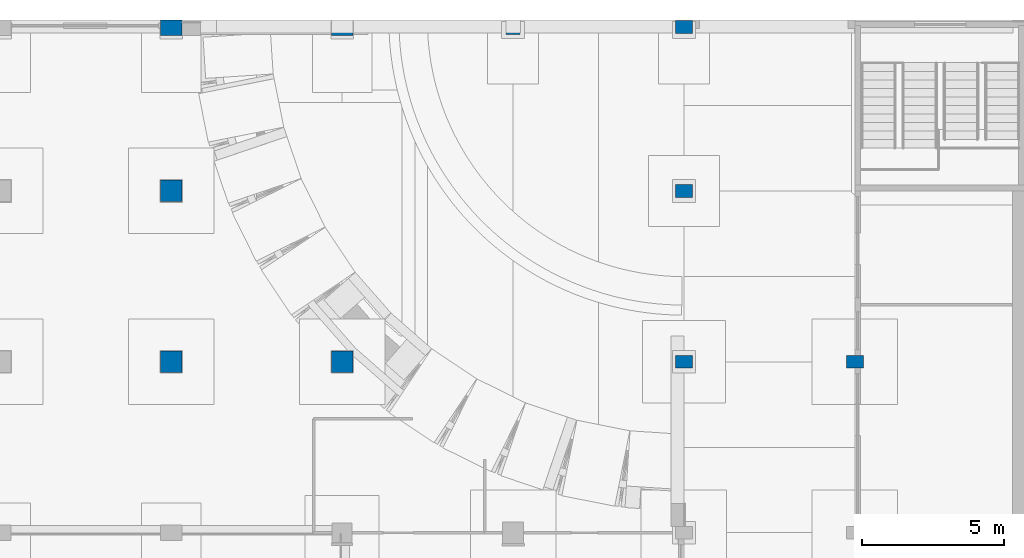
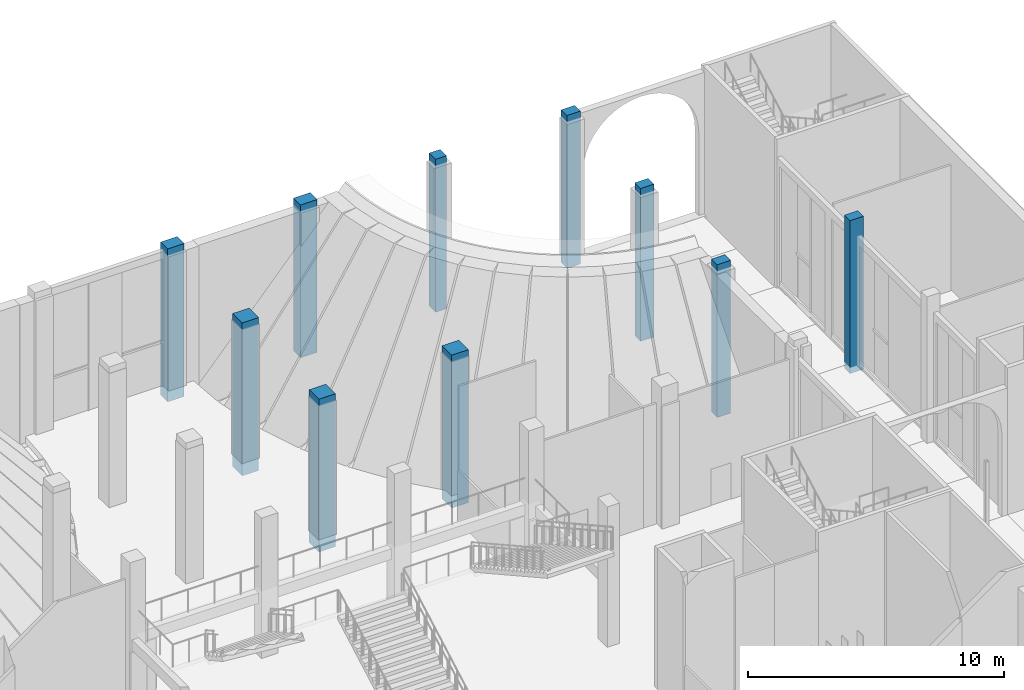
# One storey, part 18 of 95: 10 columns.
"""IFC4 building model written with IfcOpenShell, lengths in metres."""

from ifc_helpers import new_model, si_unit, direction, frame, origin, origin_2d, place, context, subcontext, project, spatial, rectangle, extrude, material, material_profile, profile_set, type_object, element, save


model = new_model("IFC4")

# Units and contexts
model_context = context("Model", 3, precision=1e-05, world=origin(), true_north=direction((0.0, 1.0)))
body_context = subcontext(model_context, "Body", "Model", "MODEL_VIEW")
ifc_project = project(units=[si_unit("LENGTHUNIT", "METRE"), si_unit("AREAUNIT", "SQUARE_METRE"), si_unit("VOLUMEUNIT", "CUBIC_METRE"), si_unit("PLANEANGLEUNIT", "RADIAN"), si_unit("MASSUNIT", "GRAM", prefix="KILO")], contexts=[model_context])

# Site, building, storey
site_placement = place(None, origin())
site = spatial("IfcSite", under=ifc_project, at=site_placement, CompositionType="ELEMENT")
building_placement = place(site_placement, origin())
building = spatial("IfcBuilding", under=site, at=building_placement, Name="Saffron Lane Theatres", CompositionType="ELEMENT")
storey_placement = place(building_placement, origin())
storey = spatial("IfcBuildingStorey", under=building, at=storey_placement, Name="L00", CompositionType="ELEMENT", Elevation=0.0)

# Columns
ifc_material_1 = material(Name="Concrete N50 (50 MPa)", Category="concrete")
ifc_material_profile_1 = material_profile(ifc_material_1, rectangle(XDim=0.5, YDim=0.5, at=origin_2d()))
ifc_profile_set_1 = profile_set([ifc_material_profile_1], Name="Concrete N50 (50 MPa)")
column_type_1 = type_object("IfcColumnType", Name="RC-COL 500x500", PredefinedType="COLUMN", material=ifc_profile_set_1)
column_placement = place(storey_placement, frame((48.0, 125.74951171875, -0.300048828125), z_axis=(0.0, 0.0, 1.0), x_axis=(1.0, 0.0, 0.0)))
element("IfcColumn", 1, at=column_placement, inside=storey, type_object=column_type_1, Name="col-L00-J22", PredefinedType="COLUMN", context=body_context, shape_type="SweptSolid", body=[
    extrude(rectangle(XDim=0.5, YDim=0.5, at=origin_2d()), origin(), (0.0, 0.0, 1.0), 7.300048828125),
])
ifc_material_2 = material(Name="Concrete N50 (50 MPa)", Category="concrete")
ifc_material_profile_2 = material_profile(ifc_material_2, rectangle(XDim=0.60009765625, YDim=0.449951171875, at=origin_2d()))
ifc_profile_set_2 = profile_set([ifc_material_profile_2], Name="Concrete N50 (50 MPa)")
column_type_2 = type_object("IfcColumnType", Name="RC-COL 600x450", PredefinedType="COLUMN", material=ifc_profile_set_2)
for number, where, z_axis, x_axis, name in (
    (2, (54.0, 114.0, -0.300048828125), (0.0, 0.0, 1.0), (1.0, 0.0, 0.0), "col-L00-K20"),
    (3, (60.0, 114.0, -0.300048828125), (0.0, 0.0, 1.0), (1.0, 0.0, 0.0), "col-L00-L20"),
    (4, (54.0, 120.0, -0.300048828125), (0.0, 0.0, 1.0), (1.0, 0.0, 0.0), "col-L00-K21"),
    (5, (54.0, 125.74951171875, -0.300048828125), (0.0, 0.0, 1.0), (1.0, 0.0, 0.0), "col-L00-K22"),
):
    element("IfcColumn", number, at=place(storey_placement, frame(where, z_axis=z_axis, x_axis=x_axis)), inside=storey, type_object=column_type_2, Name=name, PredefinedType="COLUMN", context=body_context, shape_type="SweptSolid", body=[
        extrude(rectangle(XDim=0.60009765625, YDim=0.449951171875, at=origin_2d()), origin(), (0.0, 0.0, 1.0), 7.300048828125),
    ])
ifc_material_3 = material(Name="Concrete N50 (50 MPa)", Category="concrete")
ifc_material_profile_3 = material_profile(ifc_material_3, rectangle(XDim=0.75, YDim=0.550048828125, at=origin_2d()))
ifc_profile_set_3 = profile_set([ifc_material_profile_3], Name="Concrete N50 (50 MPa)")
column_type_3 = type_object("IfcColumnType", Name="RC-COL 750x550", PredefinedType="COLUMN", material=ifc_profile_set_3)
for number, where, z_axis, x_axis, name in (
    (6, (36.0, 125.724609375, -0.300048828125), (0.0, 0.0, 1.0), (1.0, 0.0, 0.0), "col-L00-G22"),
    (7, (42.0, 125.724609375, -0.300048828125), (0.0, 0.0, 1.0), (1.0, 0.0, 0.0), "col-L00-H22"),
):
    element("IfcColumn", number, at=place(storey_placement, frame(where, z_axis=z_axis, x_axis=x_axis)), inside=storey, type_object=column_type_3, Name=name, PredefinedType="COLUMN", context=body_context, shape_type="SweptSolid", body=[
        extrude(rectangle(XDim=0.75, YDim=0.550048828125, at=origin_2d()), origin(), (0.0, 0.0, 1.0), 7.300048828125),
    ])
ifc_material_4 = material(Name="Concrete N50 (50 MPa)", Category="concrete")
ifc_material_profile_4 = material_profile(ifc_material_4, rectangle(XDim=0.75, YDim=0.75, at=origin_2d()))
ifc_profile_set_4 = profile_set([ifc_material_profile_4], Name="Concrete N50 (50 MPa)")
column_type_4 = type_object("IfcColumnType", Name="RC-COL 750x750", PredefinedType="COLUMN", material=ifc_profile_set_4)
for number, where, z_axis, x_axis, name in (
    (8, (36.0, 114.0, -0.300048828125), (0.0, 0.0, 1.0), (1.0, 0.0, 0.0), "col-L00-G20"),
    (9, (42.0, 114.0, -0.300048828125), (0.0, 0.0, 1.0), (1.0, 0.0, 0.0), "col-L00-H20"),
    (10, (36.0, 120.0, -0.300048828125), (0.0, 0.0, 1.0), (1.0, 0.0, 0.0), "col-L00-G21"),
):
    element("IfcColumn", number, at=place(storey_placement, frame(where, z_axis=z_axis, x_axis=x_axis)), inside=storey, type_object=column_type_4, Name=name, PredefinedType="COLUMN", context=body_context, shape_type="SweptSolid", body=[
        extrude(rectangle(XDim=0.75, YDim=0.75, at=origin_2d()), origin(), (0.0, 0.0, 1.0), 7.300048828125),
    ])

save(model, "model.ifc")
